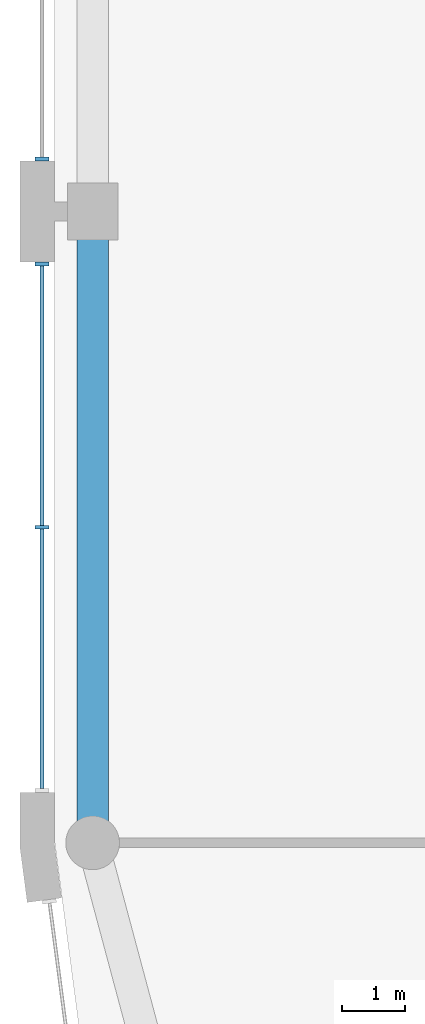
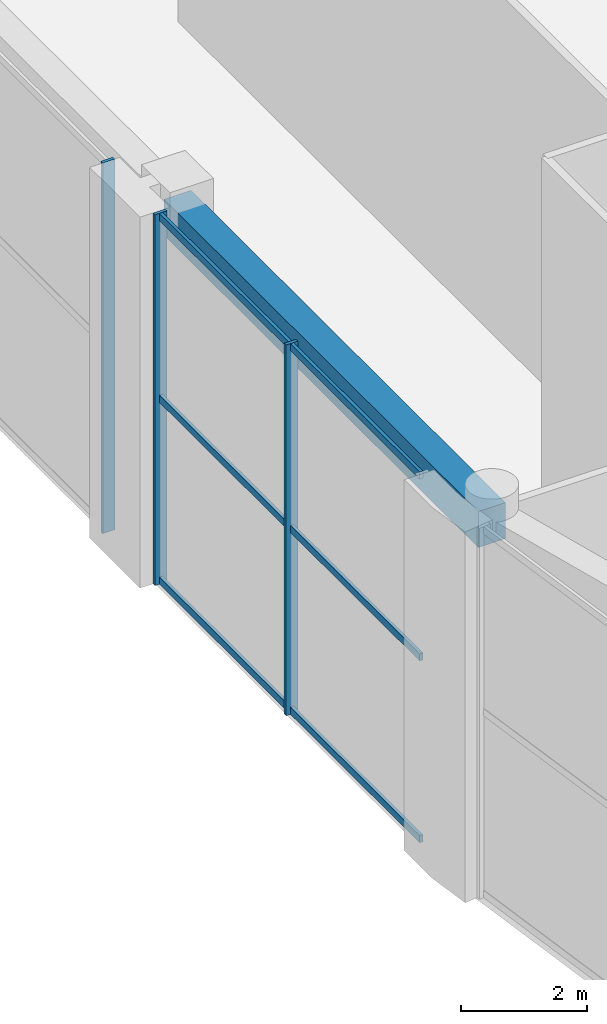
# One storey, part 3 of 14: 9 members, 1 beam, 2 elements without a shape of their own.
"""IFC4 building model written with IfcOpenShell, lengths in metres."""

from ifc_helpers import new_model, si_unit, direction, frame, origin, origin_2d, place, context, subcontext, project, spatial, rectangle, extrude, material, layer, layer_set, material_profile, profile_set, type_object, element, aggregate, save


model = new_model("IFC4")

# Units and contexts
model_context = context("Model", 3, precision=1e-05, world=origin(), true_north=direction((0.0, 1.0)))
body_context = subcontext(model_context, "Body", "Model", "MODEL_VIEW")
ifc_project = project(units=[si_unit("LENGTHUNIT", "METRE"), si_unit("AREAUNIT", "SQUARE_METRE"), si_unit("VOLUMEUNIT", "CUBIC_METRE"), si_unit("PLANEANGLEUNIT", "RADIAN"), si_unit("MASSUNIT", "GRAM", prefix="KILO")], contexts=[model_context])

# Site, building, storey
site_placement = place(None, origin())
site = spatial("IfcSite", under=ifc_project, at=site_placement, CompositionType="ELEMENT")
building_placement = place(site_placement, origin())
building = spatial("IfcBuilding", under=site, at=building_placement, Name="Qaws Garden Tower", CompositionType="ELEMENT")
storey_placement = place(building_placement, frame((0.0, 0.0, 358.199951171875)))
storey = spatial("IfcBuildingStorey", under=building, at=storey_placement, Name="L87", CompositionType="ELEMENT", Elevation=358.199951171875)

# Curtain wall, member
ifc_material_1 = material(Name="Anodised aluminium curtain wall frame", Category="aluminium")
ifc_layer = layer(ifc_material_1, 0.159912109375)
ifc_layer_set = layer_set([ifc_layer], Name="Anodised aluminium curtain wall frame")
curtain_wall_type = type_object("IfcCurtainWallType", Name="CW3 observation glazing curtain wall", PredefinedType="NOTDEFINED", material=ifc_layer_set)
placement = place(storey_placement, origin())
curtain_wall_1 = element("IfcCurtainWall", 1, at=placement, inside=storey, type_object=curtain_wall_type, Name="CW3 Observation glazing 19", PredefinedType="NOTDEFINED")
ifc_material_2 = material(Name="Anodised aluminium curtain wall frame", Category="aluminium")
ifc_material_profile_1 = material_profile(ifc_material_2, rectangle(XDim=0.219970703125, YDim=0.06005859375, at=origin_2d()), Name="AL 60x220")
ifc_profile_set_1 = profile_set([ifc_material_profile_1], Name="Anodised aluminium curtain wall frame")
member_type_1 = type_object("IfcMemberType", Name="CW3 mullion 60 x 220", PredefinedType="MULLION", material=ifc_profile_set_1)
member_1_placement = place(storey_placement, frame((-0.800048828125, 30.830078125, 0.0), z_axis=(0.0, 0.0, 1.0), x_axis=(1.0, 0.0, 0.0)))
member_1 = element("IfcMember", 2, at=member_1_placement, type_object=member_type_1, Name="CW3 mullion 3", PredefinedType="MULLION", context=body_context, shape_type="SweptSolid", body=[
    extrude(rectangle(XDim=0.219970703125, YDim=0.06005859375, at=origin_2d()), origin(), (0.0, 0.0, 1.0), 7.199951171875),
])
aggregate(curtain_wall_1, [member_1])

# Curtain wall, members
curtain_wall_2 = element("IfcCurtainWall", 3, at=placement, inside=storey, type_object=curtain_wall_type, Name="CW3 Observation glazing 20", PredefinedType="NOTDEFINED")
member_2_placement = place(storey_placement, frame((-0.800048828125, 29.169921875, 0.0), z_axis=(0.0, 0.0, 1.0), x_axis=(1.0, 0.0, 0.0)))
member_2 = element("IfcMember", 4, at=member_2_placement, type_object=member_type_1, Name="CW3 mullion 1", PredefinedType="MULLION", context=body_context, shape_type="SweptSolid", body=[
    extrude(rectangle(XDim=0.219970703125, YDim=0.06005859375, at=origin_2d()), origin(), (0.0, 0.0, 1.0), 7.199951171875),
])
member_3_placement = place(storey_placement, frame((-0.800048828125, 25.0, 0.0), z_axis=(0.0, 0.0, 1.0), x_axis=(1.0, 0.0, 0.0)))
member_3 = element("IfcMember", 5, at=member_3_placement, type_object=member_type_1, Name="CW3 mullion 2", PredefinedType="MULLION", context=body_context, shape_type="SweptSolid", body=[
    extrude(rectangle(XDim=0.219970703125, YDim=0.06005859375, at=origin_2d()), origin(), (0.0, 0.0, 1.0), 7.199951171875),
])
ifc_material_3 = material(Name="Anodised aluminium curtain wall frame", Category="aluminium")
ifc_material_profile_2 = material_profile(ifc_material_3, rectangle(XDim=0.06005859375, YDim=0.139892578125, at=origin_2d()), Name="AL 60x140")
ifc_profile_set_2 = profile_set([ifc_material_profile_2], Name="Anodised aluminium curtain wall frame")
member_type_2 = type_object("IfcMemberType", Name="CW3 transom 140 x 60", PredefinedType="USERDEFINED", material=ifc_profile_set_2)
member_4_placement = place(storey_placement, frame((-0.800048828125, 29.139892578125, 0.070068359375), z_axis=(0.0, -1.0, 0.0), x_axis=(1.0, 0.0, 0.0)))
member_4 = element("IfcMember", 6, at=member_4_placement, type_object=member_type_2, Name="CW3 transom 1.1", ObjectType="TRANSOM", PredefinedType="USERDEFINED", context=body_context, shape_type="SweptSolid", body=[
    extrude(rectangle(XDim=0.06005859375, YDim=0.139892578125, at=origin_2d()), origin(), (0.0, 0.0, 1.0), 4.10986328125),
])
member_5_placement = place(storey_placement, frame((-0.800048828125, 29.139892578125, 3.60009765625), z_axis=(0.0, -1.0, 0.0), x_axis=(1.0, 0.0, 0.0)))
member_5 = element("IfcMember", 7, at=member_5_placement, type_object=member_type_2, Name="CW3 transom 1.2", ObjectType="TRANSOM", PredefinedType="USERDEFINED", context=body_context, shape_type="SweptSolid", body=[
    extrude(rectangle(XDim=0.06005859375, YDim=0.139892578125, at=origin_2d()), origin(), (0.0, 0.0, 1.0), 4.10986328125),
])
member_6_placement = place(storey_placement, frame((-0.800048828125, 29.139892578125, 7.130126953125), z_axis=(0.0, -1.0, 0.0), x_axis=(1.0, 0.0, 0.0)))
member_6 = element("IfcMember", 8, at=member_6_placement, type_object=member_type_2, Name="CW3 transom 1.3", ObjectType="TRANSOM", PredefinedType="USERDEFINED", context=body_context, shape_type="SweptSolid", body=[
    extrude(rectangle(XDim=0.06005859375, YDim=0.139892578125, at=origin_2d()), origin(), (0.0, 0.0, 1.0), 4.10986328125),
])
member_7_placement = place(storey_placement, frame((-0.800048828125, 24.969970703125, 0.070068359375), z_axis=(0.0, -1.0, 0.0), x_axis=(1.0, 0.0, 0.0)))
member_7 = element("IfcMember", 9, at=member_7_placement, type_object=member_type_2, Name="CW3 transom 2.1", ObjectType="TRANSOM", PredefinedType="USERDEFINED", context=body_context, shape_type="SweptSolid", body=[
    extrude(rectangle(XDim=0.06005859375, YDim=0.139892578125, at=origin_2d()), origin(), (0.0, 0.0, 1.0), 4.10986328125),
])
member_8_placement = place(storey_placement, frame((-0.800048828125, 24.969970703125, 3.60009765625), z_axis=(0.0, -1.0, 0.0), x_axis=(1.0, 0.0, 0.0)))
member_8 = element("IfcMember", 10, at=member_8_placement, type_object=member_type_2, Name="CW3 transom 2.2", ObjectType="TRANSOM", PredefinedType="USERDEFINED", context=body_context, shape_type="SweptSolid", body=[
    extrude(rectangle(XDim=0.06005859375, YDim=0.139892578125, at=origin_2d()), origin(), (0.0, 0.0, 1.0), 4.10986328125),
])
member_9_placement = place(storey_placement, frame((-0.800048828125, 24.969970703125, 7.130126953125), z_axis=(0.0, -1.0, 0.0), x_axis=(1.0, 0.0, 0.0)))
member_9 = element("IfcMember", 11, at=member_9_placement, type_object=member_type_2, Name="CW3 transom 2.3", ObjectType="TRANSOM", PredefinedType="USERDEFINED", context=body_context, shape_type="SweptSolid", body=[
    extrude(rectangle(XDim=0.06005859375, YDim=0.139892578125, at=origin_2d()), origin(), (0.0, 0.0, 1.0), 4.10986328125),
])
aggregate(curtain_wall_2, [member_2, member_3, member_4, member_5, member_6, member_7, member_8, member_9])

# Beam
ifc_material_4 = material(Name="Concrete C45", Category="concrete")
ifc_material_profile_3 = material_profile(ifc_material_4, rectangle(XDim=0.5, YDim=0.699951171875, at=origin_2d()), Name="RC 500x700")
ifc_profile_set_3 = profile_set([ifc_material_profile_3], Name="Concrete C45")
beam_type = type_object("IfcBeamType", Name="Spandrel beam RC 500x700 C45", PredefinedType="SPANDREL", material=ifc_profile_set_3)
beam_placement = place(storey_placement, frame((0.0, 30.0, 6.400146484375), z_axis=(0.0, -1.0, 0.0), x_axis=(1.0, 0.0, 0.0)))
element("IfcBeam", 12, at=beam_placement, inside=storey, type_object=beam_type, Name="Spandrel beam L87-017", PredefinedType="SPANDREL", context=body_context, shape_type="SweptSolid", body=[
    extrude(rectangle(XDim=0.5, YDim=0.699951171875, at=origin_2d()), origin(), (0.0, 0.0, 1.0), 10.0),
])

save(model, "model.ifc")
